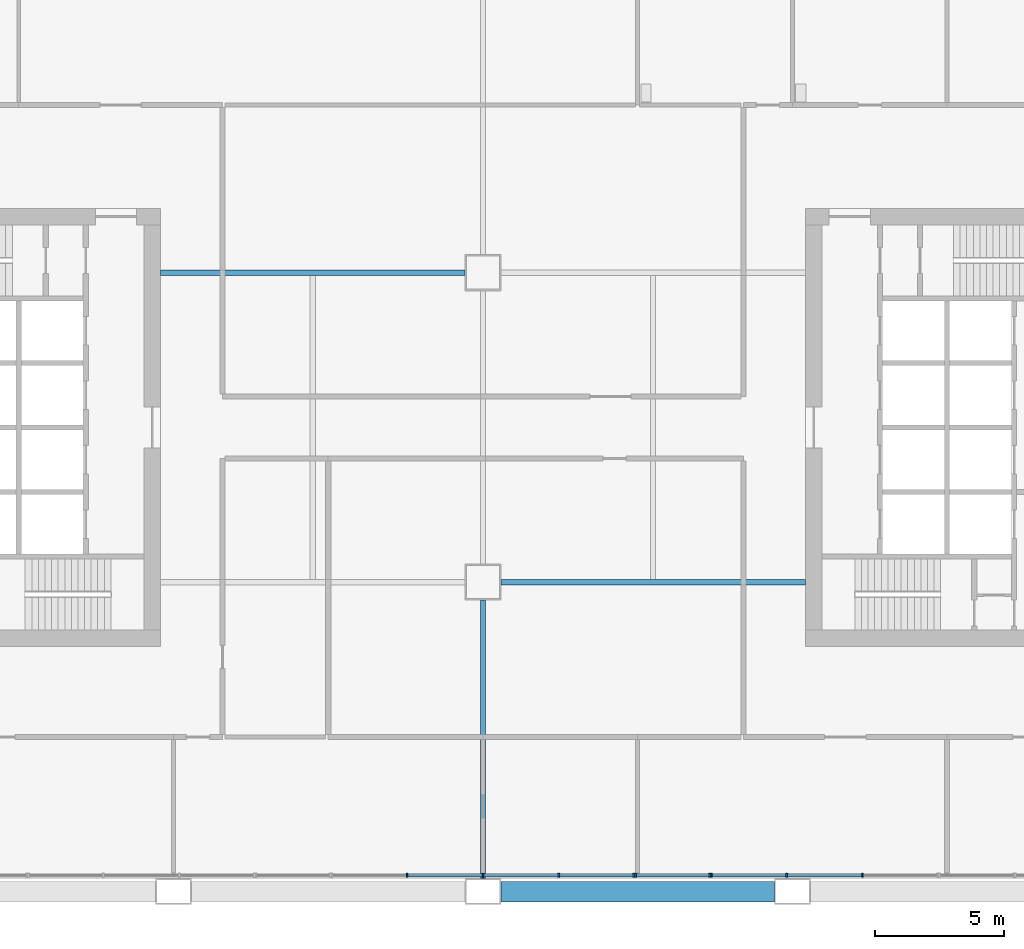
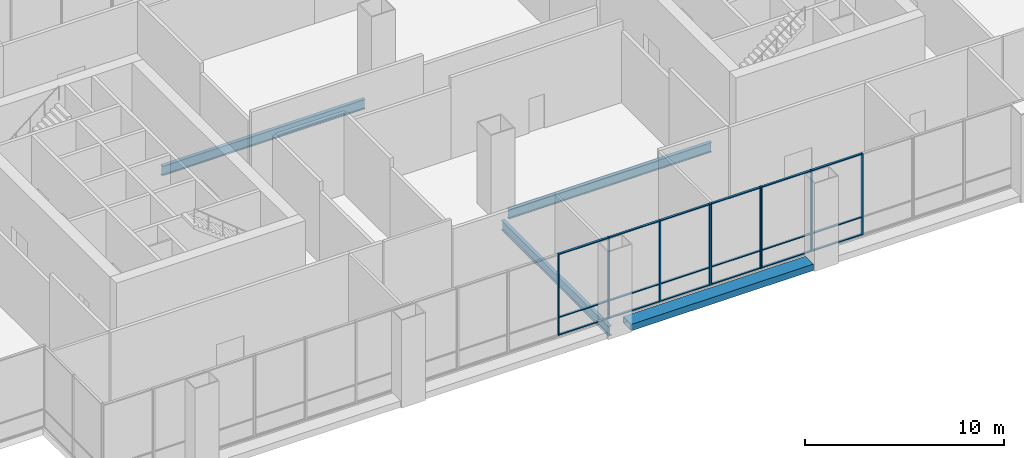
# One storey, part 5 of 20: 27 members, 4 beams, 3 elements without a shape of their own.
"""IFC4 building model written with IfcOpenShell, lengths in metres."""

from ifc_helpers import new_model, si_unit, direction, frame, origin, origin_2d, place, context, subcontext, project, spatial, rectangle, hollow_rectangle, i_section, extrude, material, material_profile, profile_set, type_object, element, aggregate, save


model = new_model("IFC4")

# Units and contexts
model_context = context("Model", 3, precision=1e-05, world=origin(), true_north=direction((0.0, 1.0)))
body_context = subcontext(model_context, "Body", "Model", "MODEL_VIEW")
ifc_project = project(units=[si_unit("LENGTHUNIT", "METRE"), si_unit("AREAUNIT", "SQUARE_METRE"), si_unit("VOLUMEUNIT", "CUBIC_METRE"), si_unit("PLANEANGLEUNIT", "RADIAN"), si_unit("MASSUNIT", "GRAM", prefix="KILO")], contexts=[model_context])

# Site, building, storey
site_placement = place(None, origin())
site = spatial("IfcSite", under=ifc_project, at=site_placement, CompositionType="ELEMENT")
building_placement = place(site_placement, origin())
building = spatial("IfcBuilding", under=site, at=building_placement, Name="Kitamizu Gate Tower and Museum", CompositionType="ELEMENT")
storey_placement = place(building_placement, frame((0.0, 0.0, 148.35009765625)))
storey = spatial("IfcBuildingStorey", under=building, at=storey_placement, Name="L39", CompositionType="ELEMENT", Elevation=148.35009765625)

# Beams
ifc_material_1 = material(Name="Steel SM490A bronze coated", Category="steel")
ifc_material_profile_1 = material_profile(ifc_material_1, hollow_rectangle(XDim=0.800048828125, YDim=0.39990234375, WallThickness=0.0400390625, at=origin_2d()), Name="BOX 800x400x40")
ifc_profile_set_1 = profile_set([ifc_material_profile_1], Name="Steel SM490A bronze coated")
beam_type_1 = type_object("IfcBeamType", Name="Exoskeleton spandrel beam SB1 BOX 800x400x40", PredefinedType="SPANDREL", material=ifc_profile_set_1)
beam_1_placement = place(storey_placement, frame((36.699951171875, 12.0, -0.2001953125), z_axis=(1.0, 0.0, 0.0), x_axis=(0.0, 1.0, 0.0)))
element("IfcBeam", 1, at=beam_1_placement, inside=storey, type_object=beam_type_1, Name="Exoskeleton spandrel beam south 36 L39", PredefinedType="SPANDREL", context=body_context, shape_type="SweptSolid", body=[
    extrude(hollow_rectangle(XDim=0.800048828125, YDim=0.39990234375, WallThickness=0.0400390625, at=origin_2d()), origin(), (0.0, 0.0, 1.0), 10.60009765625),
])
ifc_material_2 = material(Name="Steel SM490A", Category="steel")
ifc_material_profile_2 = material_profile(ifc_material_2, i_section(OverallWidth=0.199951171875, OverallDepth=0.60009765625, WebThickness=0.010986328125, FlangeThickness=0.01708984375, FilletRadius=0.02197265625, at=origin_2d()), Name="H-600x200x11x17")
ifc_profile_set_2 = profile_set([ifc_material_profile_2], Name="Steel SM490A")
beam_type_2 = type_object("IfcBeamType", Name="Floor girder FG1 H 600x200x11x17", PredefinedType="BEAM", material=ifc_profile_set_2)
beam_2_placement = place(storey_placement, frame((36.0, 12.5, -0.7001953125), z_axis=(0.0, 1.0, 0.0), x_axis=(-1.0, 0.0, 0.0)))
element("IfcBeam", 2, at=beam_2_placement, inside=storey, type_object=beam_type_2, Name="Floor girder FG1 x36 L39", PredefinedType="BEAM", context=body_context, shape_type="SweptSolid", body=[
    extrude(i_section(OverallWidth=0.199951171875, OverallDepth=0.60009765625, WebThickness=0.010986328125, FlangeThickness=0.01708984375, FilletRadius=0.02197265625, at=origin_2d()), origin(), (0.0, 0.0, 1.0), 10.800048828125),
])
for number, where, z_axis, x_axis, name in (
    (3, (36.699951171875, 24.0, -0.7001953125), (1.0, 0.0, 0.0), (0.0, 1.0, 0.0), "Floor girder FG1 y24 L39"),
    (4, (23.5, 36.0, -0.7001953125), (1.0, 0.0, 0.0), (0.0, 1.0, 0.0), "Floor girder FG1 y36 L39"),
):
    element("IfcBeam", number, at=place(storey_placement, frame(where, z_axis=z_axis, x_axis=x_axis)), inside=storey, type_object=beam_type_2, Name=name, PredefinedType="BEAM", context=body_context, shape_type="SweptSolid", body=[
        extrude(i_section(OverallWidth=0.199951171875, OverallDepth=0.60009765625, WebThickness=0.010986328125, FlangeThickness=0.01708984375, FilletRadius=0.02197265625, at=origin_2d()), origin(), (0.0, 0.0, 1.0), 11.800048828125),
    ])

# Curtain wall, members
ifc_material_3 = material(Name="Bronze anodised aluminium frame, insulated panels", Category="aluminium")
curtain_wall_type_1 = type_object("IfcCurtainWallType", Name="CURTAIN WALL TYPE B SKY LOBBY INSULATED", PredefinedType="NOTDEFINED", material=ifc_material_3)
curtain_wall_1_placement = place(storey_placement, origin())
curtain_wall_1 = element("IfcCurtainWall", 5, at=curtain_wall_1_placement, inside=storey, type_object=curtain_wall_type_1, Name="Curtain wall CW-BI south L39 part 6", PredefinedType="NOTDEFINED")
ifc_material_4 = material(Name="Bronze anodised aluminium", Category="aluminium")
ifc_material_profile_3 = material_profile(ifc_material_4, rectangle(XDim=0.070068359375, YDim=0.14990234375, at=origin_2d()), Name="AL 70X150")
ifc_profile_set_3 = profile_set([ifc_material_profile_3], Name="Bronze anodised aluminium")
member_type_1 = type_object("IfcMemberType", Name="MULLION 70 X 150 TYPE B", PredefinedType="MULLION", material=ifc_profile_set_3)
member_1_placement = place(storey_placement, frame((33.055908203125, 12.635009765625, 0.0), z_axis=(0.0, 0.0, 1.0), x_axis=(1.0, 0.0, 0.0)))
member_1 = element("IfcMember", 6, at=member_1_placement, type_object=member_type_1, Name="CW-BI mullion 2", PredefinedType="MULLION", context=body_context, shape_type="SweptSolid", body=[
    extrude(rectangle(XDim=0.070068359375, YDim=0.14990234375, at=origin_2d()), origin(), (0.0, 0.0, 1.0), 5.0),
])
member_2_placement = place(storey_placement, frame((36.0, 12.635009765625, 0.0), z_axis=(0.0, 0.0, 1.0), x_axis=(1.0, 0.0, 0.0)))
member_2 = element("IfcMember", 7, at=member_2_placement, type_object=member_type_1, Name="CW-BI mullion 3", PredefinedType="MULLION", context=body_context, shape_type="SweptSolid", body=[
    extrude(rectangle(XDim=0.070068359375, YDim=0.14990234375, at=origin_2d()), origin(), (0.0, 0.0, 1.0), 5.0),
])
member_3_placement = place(storey_placement, frame((38.944091796875, 12.635009765625, 0.0), z_axis=(0.0, 0.0, 1.0), x_axis=(1.0, 0.0, 0.0)))
member_3 = element("IfcMember", 8, at=member_3_placement, type_object=member_type_1, Name="CW-BI mullion 4", PredefinedType="MULLION", context=body_context, shape_type="SweptSolid", body=[
    extrude(rectangle(XDim=0.070068359375, YDim=0.14990234375, at=origin_2d()), origin(), (0.0, 0.0, 1.0), 5.0),
])
member_4_placement = place(storey_placement, frame((41.85302734375, 12.635009765625, 0.0), z_axis=(0.0, 0.0, 1.0), x_axis=(1.0, 0.0, 0.0)))
member_4 = element("IfcMember", 9, at=member_4_placement, type_object=member_type_1, Name="CW-BI mullion 5", PredefinedType="MULLION", context=body_context, shape_type="SweptSolid", body=[
    extrude(rectangle(XDim=0.070068359375, YDim=0.14990234375, at=origin_2d()), origin(), (0.0, 0.0, 1.0), 5.0),
])

ifc_material_5 = material(Name="Bronze anodised aluminium frame, tinted triple glazing", Category="aluminium")
curtain_wall_type_2 = type_object("IfcCurtainWallType", Name="CURTAIN WALL TYPE B SKY LOBBY", PredefinedType="NOTDEFINED", material=ifc_material_5)
curtain_wall_2_placement = place(storey_placement, origin())
curtain_wall_2 = element("IfcCurtainWall", 10, at=curtain_wall_2_placement, inside=storey, type_object=curtain_wall_type_2, Name="Curtain wall CW-B south L39 part 7", PredefinedType="NOTDEFINED")
member_5_placement = place(storey_placement, frame((41.923095703125, 12.635009765625, 0.0), z_axis=(0.0, 0.0, 1.0), x_axis=(1.0, 0.0, 0.0)))
member_5 = element("IfcMember", 11, at=member_5_placement, type_object=member_type_1, Name="CW-B mullion 1", PredefinedType="MULLION", context=body_context, shape_type="SweptSolid", body=[
    extrude(rectangle(XDim=0.070068359375, YDim=0.14990234375, at=origin_2d()), origin(), (0.0, 0.0, 1.0), 5.0),
])
member_6_placement = place(storey_placement, frame((44.797119140625, 12.635009765625, 0.0), z_axis=(0.0, 0.0, 1.0), x_axis=(1.0, 0.0, 0.0)))
member_6 = element("IfcMember", 12, at=member_6_placement, type_object=member_type_1, Name="CW-B mullion 2", PredefinedType="MULLION", context=body_context, shape_type="SweptSolid", body=[
    extrude(rectangle(XDim=0.070068359375, YDim=0.14990234375, at=origin_2d()), origin(), (0.0, 0.0, 1.0), 5.0),
])

curtain_wall_3_placement = place(storey_placement, origin())
curtain_wall_3 = element("IfcCurtainWall", 13, at=curtain_wall_3_placement, inside=storey, type_object=curtain_wall_type_1, Name="Curtain wall CW-BI south L39 part 8", PredefinedType="NOTDEFINED")
member_7_placement = place(storey_placement, frame((44.866943359375, 12.635009765625, 0.0), z_axis=(0.0, 0.0, 1.0), x_axis=(1.0, 0.0, 0.0)))
member_7 = element("IfcMember", 14, at=member_7_placement, type_object=member_type_1, Name="CW-BI mullion 1", PredefinedType="MULLION", context=body_context, shape_type="SweptSolid", body=[
    extrude(rectangle(XDim=0.070068359375, YDim=0.14990234375, at=origin_2d()), origin(), (0.0, 0.0, 1.0), 5.0),
])
member_8_placement = place(storey_placement, frame((47.77587890625, 12.635009765625, 0.0), z_axis=(0.0, 0.0, 1.0), x_axis=(1.0, 0.0, 0.0)))
member_8 = element("IfcMember", 15, at=member_8_placement, type_object=member_type_1, Name="CW-BI mullion 2", PredefinedType="MULLION", context=body_context, shape_type="SweptSolid", body=[
    extrude(rectangle(XDim=0.070068359375, YDim=0.14990234375, at=origin_2d()), origin(), (0.0, 0.0, 1.0), 5.0),
])
member_9_placement = place(storey_placement, frame((50.719970703125, 12.635009765625, 0.0), z_axis=(0.0, 0.0, 1.0), x_axis=(1.0, 0.0, 0.0)))
member_9 = element("IfcMember", 16, at=member_9_placement, type_object=member_type_1, Name="CW-BI mullion 3", PredefinedType="MULLION", context=body_context, shape_type="SweptSolid", body=[
    extrude(rectangle(XDim=0.070068359375, YDim=0.14990234375, at=origin_2d()), origin(), (0.0, 0.0, 1.0), 5.0),
])

# Member
ifc_material_6 = material(Name="Bronze anodised aluminium", Category="aluminium")
ifc_material_profile_4 = material_profile(ifc_material_6, rectangle(XDim=0.1201171875, YDim=0.06005859375, at=origin_2d()), Name="AL 60X120")
ifc_profile_set_4 = profile_set([ifc_material_profile_4], Name="Bronze anodised aluminium")
member_type_2 = type_object("IfcMemberType", Name="TRANSOM 60 X 120 TYPE B", PredefinedType="USERDEFINED", material=ifc_profile_set_4)
member_10_placement = place(storey_placement, frame((33.091064453125, 12.635009765625, 0.02978515625), z_axis=(1.0, 0.0, 0.0), x_axis=(0.0, 1.0, 0.0)))
member_10 = element("IfcMember", 17, at=member_10_placement, type_object=member_type_2, Name="CW-BI transom 2.1", ObjectType="TRANSOM", PredefinedType="USERDEFINED", context=body_context, shape_type="SweptSolid", body=[
    extrude(rectangle(XDim=0.1201171875, YDim=0.06005859375, at=origin_2d()), origin(), (0.0, 0.0, 1.0), 2.8740234375),
])

member_11_placement = place(storey_placement, frame((33.091064453125, 12.635009765625, 1.099853515625), z_axis=(1.0, 0.0, 0.0), x_axis=(0.0, 1.0, 0.0)))
member_11 = element("IfcMember", 18, at=member_11_placement, type_object=member_type_2, Name="CW-BI transom 2.2", ObjectType="TRANSOM", PredefinedType="USERDEFINED", context=body_context, shape_type="SweptSolid", body=[
    extrude(rectangle(XDim=0.1201171875, YDim=0.06005859375, at=origin_2d()), origin(), (0.0, 0.0, 1.0), 2.8740234375),
])

member_12_placement = place(storey_placement, frame((33.091064453125, 12.635009765625, 4.969970703125), z_axis=(1.0, 0.0, 0.0), x_axis=(0.0, 1.0, 0.0)))
member_12 = element("IfcMember", 19, at=member_12_placement, type_object=member_type_2, Name="CW-BI transom 2.3", ObjectType="TRANSOM", PredefinedType="USERDEFINED", context=body_context, shape_type="SweptSolid", body=[
    extrude(rectangle(XDim=0.1201171875, YDim=0.06005859375, at=origin_2d()), origin(), (0.0, 0.0, 1.0), 2.8740234375),
])

member_13_placement = place(storey_placement, frame((36.034912109375, 12.635009765625, 0.02978515625), z_axis=(1.0, 0.0, 0.0), x_axis=(0.0, 1.0, 0.0)))
member_13 = element("IfcMember", 20, at=member_13_placement, type_object=member_type_2, Name="CW-BI transom 3.1", ObjectType="TRANSOM", PredefinedType="USERDEFINED", context=body_context, shape_type="SweptSolid", body=[
    extrude(rectangle(XDim=0.1201171875, YDim=0.06005859375, at=origin_2d()), origin(), (0.0, 0.0, 1.0), 2.8740234375),
])

member_14_placement = place(storey_placement, frame((36.034912109375, 12.635009765625, 1.099853515625), z_axis=(1.0, 0.0, 0.0), x_axis=(0.0, 1.0, 0.0)))
member_14 = element("IfcMember", 21, at=member_14_placement, type_object=member_type_2, Name="CW-BI transom 3.2", ObjectType="TRANSOM", PredefinedType="USERDEFINED", context=body_context, shape_type="SweptSolid", body=[
    extrude(rectangle(XDim=0.1201171875, YDim=0.06005859375, at=origin_2d()), origin(), (0.0, 0.0, 1.0), 2.8740234375),
])

member_15_placement = place(storey_placement, frame((36.034912109375, 12.635009765625, 4.969970703125), z_axis=(1.0, 0.0, 0.0), x_axis=(0.0, 1.0, 0.0)))
member_15 = element("IfcMember", 22, at=member_15_placement, type_object=member_type_2, Name="CW-BI transom 3.3", ObjectType="TRANSOM", PredefinedType="USERDEFINED", context=body_context, shape_type="SweptSolid", body=[
    extrude(rectangle(XDim=0.1201171875, YDim=0.06005859375, at=origin_2d()), origin(), (0.0, 0.0, 1.0), 2.8740234375),
])

member_16_placement = place(storey_placement, frame((38.97900390625, 12.635009765625, 0.02978515625), z_axis=(1.0, 0.0, 0.0), x_axis=(0.0, 1.0, 0.0)))
member_16 = element("IfcMember", 23, at=member_16_placement, type_object=member_type_2, Name="CW-BI transom 4.1", ObjectType="TRANSOM", PredefinedType="USERDEFINED", context=body_context, shape_type="SweptSolid", body=[
    extrude(rectangle(XDim=0.1201171875, YDim=0.06005859375, at=origin_2d()), origin(), (0.0, 0.0, 1.0), 2.839111328125),
])

member_17_placement = place(storey_placement, frame((38.97900390625, 12.635009765625, 1.099853515625), z_axis=(1.0, 0.0, 0.0), x_axis=(0.0, 1.0, 0.0)))
member_17 = element("IfcMember", 24, at=member_17_placement, type_object=member_type_2, Name="CW-BI transom 4.2", ObjectType="TRANSOM", PredefinedType="USERDEFINED", context=body_context, shape_type="SweptSolid", body=[
    extrude(rectangle(XDim=0.1201171875, YDim=0.06005859375, at=origin_2d()), origin(), (0.0, 0.0, 1.0), 2.839111328125),
])

member_18_placement = place(storey_placement, frame((38.97900390625, 12.635009765625, 4.969970703125), z_axis=(1.0, 0.0, 0.0), x_axis=(0.0, 1.0, 0.0)))
member_18 = element("IfcMember", 25, at=member_18_placement, type_object=member_type_2, Name="CW-BI transom 4.3", ObjectType="TRANSOM", PredefinedType="USERDEFINED", context=body_context, shape_type="SweptSolid", body=[
    extrude(rectangle(XDim=0.1201171875, YDim=0.06005859375, at=origin_2d()), origin(), (0.0, 0.0, 1.0), 2.839111328125),
])

aggregate(curtain_wall_1, [member_1, member_2, member_3, member_4, member_10, member_11, member_12, member_13, member_14, member_15, member_16, member_17, member_18])

member_19_placement = place(storey_placement, frame((41.9580078125, 12.635009765625, 0.02978515625), z_axis=(1.0, 0.0, 0.0), x_axis=(0.0, 1.0, 0.0)))
member_19 = element("IfcMember", 26, at=member_19_placement, type_object=member_type_2, Name="CW-B transom 1.1", ObjectType="TRANSOM", PredefinedType="USERDEFINED", context=body_context, shape_type="SweptSolid", body=[
    extrude(rectangle(XDim=0.1201171875, YDim=0.06005859375, at=origin_2d()), origin(), (0.0, 0.0, 1.0), 2.803955078125),
])

member_20_placement = place(storey_placement, frame((41.9580078125, 12.635009765625, 1.099853515625), z_axis=(1.0, 0.0, 0.0), x_axis=(0.0, 1.0, 0.0)))
member_20 = element("IfcMember", 27, at=member_20_placement, type_object=member_type_2, Name="CW-B transom 1.2", ObjectType="TRANSOM", PredefinedType="USERDEFINED", context=body_context, shape_type="SweptSolid", body=[
    extrude(rectangle(XDim=0.1201171875, YDim=0.06005859375, at=origin_2d()), origin(), (0.0, 0.0, 1.0), 2.803955078125),
])

member_21_placement = place(storey_placement, frame((41.9580078125, 12.635009765625, 4.969970703125), z_axis=(1.0, 0.0, 0.0), x_axis=(0.0, 1.0, 0.0)))
member_21 = element("IfcMember", 28, at=member_21_placement, type_object=member_type_2, Name="CW-B transom 1.3", ObjectType="TRANSOM", PredefinedType="USERDEFINED", context=body_context, shape_type="SweptSolid", body=[
    extrude(rectangle(XDim=0.1201171875, YDim=0.06005859375, at=origin_2d()), origin(), (0.0, 0.0, 1.0), 2.803955078125),
])

aggregate(curtain_wall_2, [member_5, member_6, member_19, member_20, member_21])

member_22_placement = place(storey_placement, frame((44.902099609375, 12.635009765625, 0.02978515625), z_axis=(1.0, 0.0, 0.0), x_axis=(0.0, 1.0, 0.0)))
member_22 = element("IfcMember", 29, at=member_22_placement, type_object=member_type_2, Name="CW-BI transom 1.1", ObjectType="TRANSOM", PredefinedType="USERDEFINED", context=body_context, shape_type="SweptSolid", body=[
    extrude(rectangle(XDim=0.1201171875, YDim=0.06005859375, at=origin_2d()), origin(), (0.0, 0.0, 1.0), 2.8388671875),
])

member_23_placement = place(storey_placement, frame((44.902099609375, 12.635009765625, 1.099853515625), z_axis=(1.0, 0.0, 0.0), x_axis=(0.0, 1.0, 0.0)))
member_23 = element("IfcMember", 30, at=member_23_placement, type_object=member_type_2, Name="CW-BI transom 1.2", ObjectType="TRANSOM", PredefinedType="USERDEFINED", context=body_context, shape_type="SweptSolid", body=[
    extrude(rectangle(XDim=0.1201171875, YDim=0.06005859375, at=origin_2d()), origin(), (0.0, 0.0, 1.0), 2.8388671875),
])

member_24_placement = place(storey_placement, frame((44.902099609375, 12.635009765625, 4.969970703125), z_axis=(1.0, 0.0, 0.0), x_axis=(0.0, 1.0, 0.0)))
member_24 = element("IfcMember", 31, at=member_24_placement, type_object=member_type_2, Name="CW-BI transom 1.3", ObjectType="TRANSOM", PredefinedType="USERDEFINED", context=body_context, shape_type="SweptSolid", body=[
    extrude(rectangle(XDim=0.1201171875, YDim=0.06005859375, at=origin_2d()), origin(), (0.0, 0.0, 1.0), 2.8388671875),
])

member_25_placement = place(storey_placement, frame((47.81103515625, 12.635009765625, 0.02978515625), z_axis=(1.0, 0.0, 0.0), x_axis=(0.0, 1.0, 0.0)))
member_25 = element("IfcMember", 32, at=member_25_placement, type_object=member_type_2, Name="CW-BI transom 2.1", ObjectType="TRANSOM", PredefinedType="USERDEFINED", context=body_context, shape_type="SweptSolid", body=[
    extrude(rectangle(XDim=0.1201171875, YDim=0.06005859375, at=origin_2d()), origin(), (0.0, 0.0, 1.0), 2.8740234375),
])

member_26_placement = place(storey_placement, frame((47.81103515625, 12.635009765625, 1.099853515625), z_axis=(1.0, 0.0, 0.0), x_axis=(0.0, 1.0, 0.0)))
member_26 = element("IfcMember", 33, at=member_26_placement, type_object=member_type_2, Name="CW-BI transom 2.2", ObjectType="TRANSOM", PredefinedType="USERDEFINED", context=body_context, shape_type="SweptSolid", body=[
    extrude(rectangle(XDim=0.1201171875, YDim=0.06005859375, at=origin_2d()), origin(), (0.0, 0.0, 1.0), 2.8740234375),
])

member_27_placement = place(storey_placement, frame((47.81103515625, 12.635009765625, 4.969970703125), z_axis=(1.0, 0.0, 0.0), x_axis=(0.0, 1.0, 0.0)))
member_27 = element("IfcMember", 34, at=member_27_placement, type_object=member_type_2, Name="CW-BI transom 2.3", ObjectType="TRANSOM", PredefinedType="USERDEFINED", context=body_context, shape_type="SweptSolid", body=[
    extrude(rectangle(XDim=0.1201171875, YDim=0.06005859375, at=origin_2d()), origin(), (0.0, 0.0, 1.0), 2.8740234375),
])

aggregate(curtain_wall_3, [member_7, member_8, member_9, member_22, member_23, member_24, member_25, member_26, member_27])

save(model, "model.ifc")
